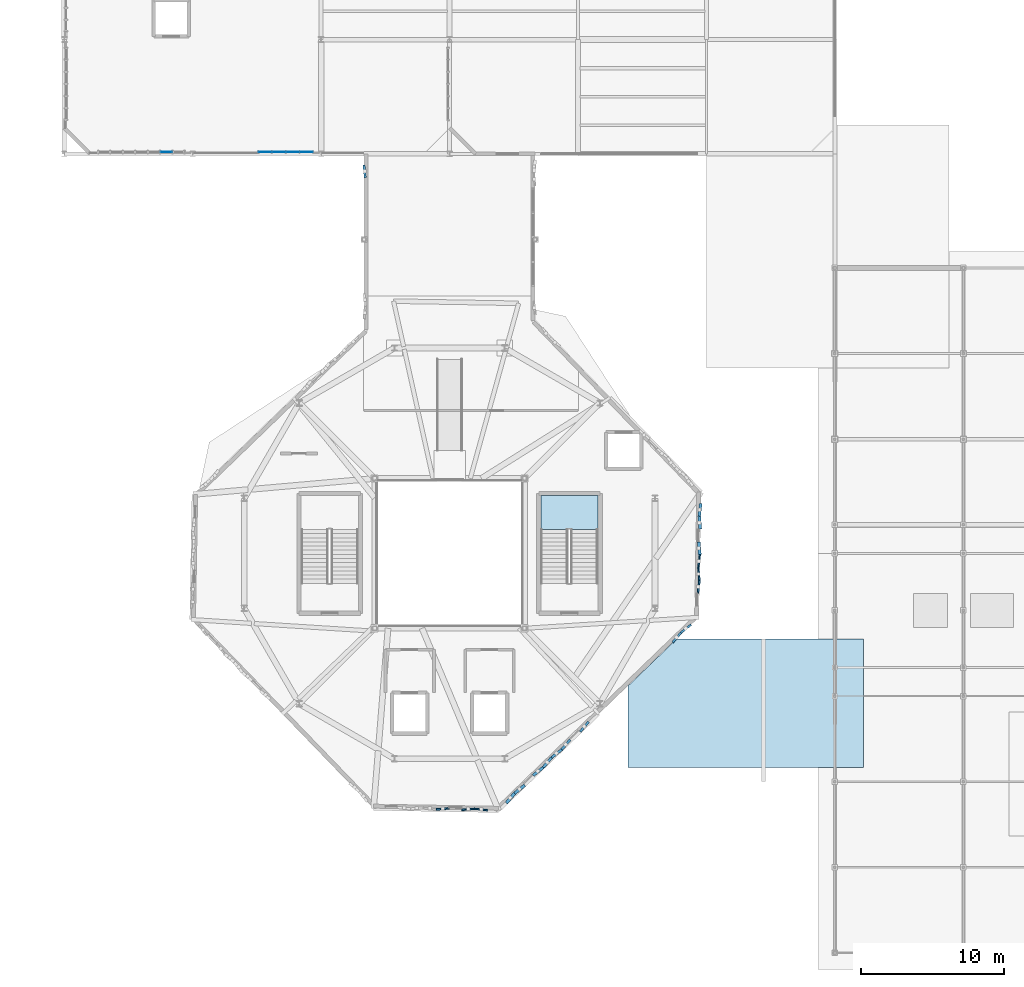
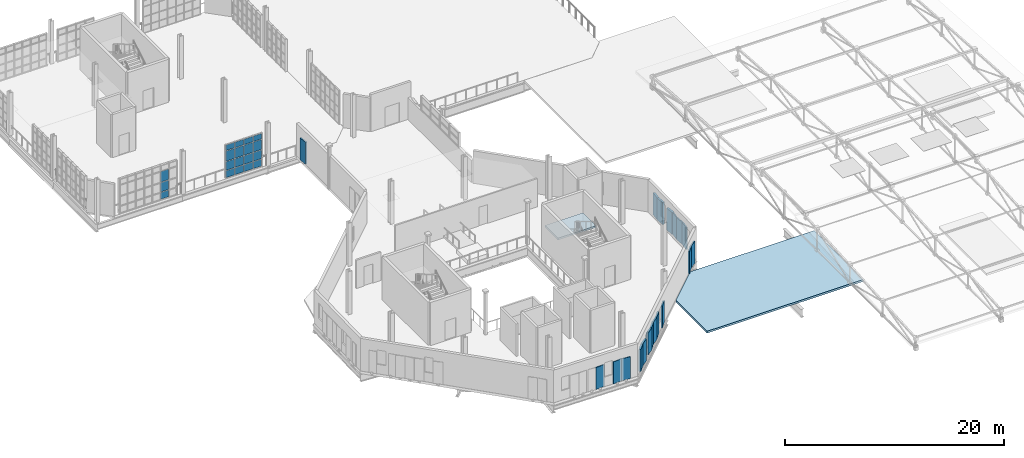
# One storey, part 68 of 85: 38 plates, 2 slabs, 3 elements without a shape of their own.
"""IFC4 building model written with IfcOpenShell, lengths in metres."""

from ifc_helpers import new_model, si_unit, direction, frame, frame_2d, origin, origin_2d, place, context, subcontext, project, spatial, polyline, rectangle, outline, extrude, material, layer, layer_set, type_object, element, aggregate, save


model = new_model("IFC4")

# Units and contexts
model_context = context("Model", 3, precision=1e-05, world=origin(), true_north=direction((0.0, 1.0)))
body_context = subcontext(model_context, "Body", "Model", "MODEL_VIEW")
ifc_project = project(units=[si_unit("LENGTHUNIT", "METRE"), si_unit("AREAUNIT", "SQUARE_METRE"), si_unit("VOLUMEUNIT", "CUBIC_METRE"), si_unit("PLANEANGLEUNIT", "RADIAN"), si_unit("MASSUNIT", "GRAM", prefix="KILO"), si_unit("THERMODYNAMICTEMPERATUREUNIT", "KELVIN"), si_unit("POWERUNIT", "WATT")], contexts=[model_context])

# Site, building, storey
site_placement = place(None, origin())
site = spatial("IfcSite", under=ifc_project, at=site_placement, CompositionType="ELEMENT")
building_placement = place(site_placement, origin())
building = spatial("IfcBuilding", under=site, at=building_placement, Name="Zelmaris Science Centre", CompositionType="ELEMENT")
storey_placement = place(building_placement, frame((0.0, 0.0, 20.39990234375)))
storey = spatial("IfcBuildingStorey", under=building, at=storey_placement, Name="L04", CompositionType="ELEMENT", Elevation=20.39990234375)

# Curtain wall, plates
ifc_material_1 = material(Name="Anodised architectural aluminium 6063-T6", Category="aluminium")
ifc_layer_1 = layer(ifc_material_1, 0.18994140625, Name="Anodised architectural aluminium 6063-T6")
ifc_layer_set_1 = layer_set([ifc_layer_1], Name="Anodised architectural aluminium 6063-T6")
curtain_wall_type_1 = type_object("IfcCurtainWallType", Name="Curtain Wall CW-01", PredefinedType="USERDEFINED", material=ifc_layer_set_1)
curtain_wall_1_placement = place(storey_placement, origin())
curtain_wall_1 = element("IfcCurtainWall", 1, at=curtain_wall_1_placement, inside=storey, type_object=curtain_wall_type_1, Name="L04 Unitised curtain wall 357", ObjectType="GLAZED CURTAIN WALL", PredefinedType="USERDEFINED")
ifc_material_2 = material(Name="Laminated hurricane-rated low-E insulated glazing", Category="glass")
ifc_layer_2 = layer(ifc_material_2, 0.031982421875, Name="Laminated hurricane-rated low-E insulated glazing")
ifc_layer_set_2 = layer_set([ifc_layer_2], Name="Laminated hurricane-rated low-E insulated glazing")
plate_type_1 = type_object("IfcPlateType", Name="Curtain Glazing Panel CWP-1 32mm", PredefinedType="CURTAIN_PANEL", material=ifc_layer_set_2)
plate_1_placement = place(storey_placement, frame((61.148681640625, 64.1201171875, 0.05712890625), z_axis=(0.0, 0.0, 1.0), x_axis=(-0.999999999867, 1.6339877e-05, 0.0)))
plate_1 = element("IfcPlate", 2, at=plate_1_placement, type_object=plate_type_1, Name="CW-01 panel 2.1", PredefinedType="CURTAIN_PANEL", context=body_context, shape_type="SweptSolid", body=[
    extrude(rectangle(XDim=0.80224609375, YDim=0.031982421875, at=origin_2d()), origin(), (0.0, 0.0, 1.0), 0.741943359375),
])
plate_2_placement = place(storey_placement, frame((61.148681640625, 64.1201171875, 0.87109375), z_axis=(0.0, 0.0, 1.0), x_axis=(-0.999999999867, 1.6339877e-05, 0.0)))
plate_2 = element("IfcPlate", 3, at=plate_2_placement, type_object=plate_type_1, Name="CW-01 panel 2.2", PredefinedType="CURTAIN_PANEL", context=body_context, shape_type="SweptSolid", body=[
    extrude(rectangle(XDim=0.80224609375, YDim=0.031982421875, at=origin_2d()), origin(), (0.0, 0.0, 1.0), 1.029541015625),
])
plate_3_placement = place(storey_placement, frame((61.148681640625, 64.1201171875, 1.97265625), z_axis=(0.0, 0.0, 1.0), x_axis=(-0.999999999867, 1.6339877e-05, 0.0)))
plate_3 = element("IfcPlate", 4, at=plate_3_placement, type_object=plate_type_1, Name="CW-01 panel 2.3", PredefinedType="CURTAIN_PANEL", context=body_context, shape_type="SweptSolid", body=[
    extrude(rectangle(XDim=0.80224609375, YDim=0.031982421875, at=origin_2d()), origin(), (0.0, 0.0, 1.0), 1.179443359375),
])
aggregate(curtain_wall_1, [plate_1, plate_2, plate_3])

ifc_layer_3 = layer(ifc_material_1, 0.2099609375, Name="Anodised architectural aluminium 6063-T6")
ifc_layer_set_3 = layer_set([ifc_layer_3], Name="Anodised architectural aluminium 6063-T6")
curtain_wall_type_2 = type_object("IfcCurtainWallType", Name="Curtain Wall CW-03", PredefinedType="USERDEFINED", material=ifc_layer_set_3)
curtain_wall_2_placement = place(storey_placement, origin())
curtain_wall_2 = element("IfcCurtainWall", 5, at=curtain_wall_2_placement, inside=storey, type_object=curtain_wall_type_2, Name="L04 Unitised curtain wall 355", ObjectType="GLAZED CURTAIN WALL", PredefinedType="USERDEFINED")
ifc_layer_4 = layer(ifc_material_2, 0.02587890625, Name="Laminated hurricane-rated low-E insulated glazing")
ifc_layer_set_4 = layer_set([ifc_layer_4], Name="Laminated hurricane-rated low-E insulated glazing")
plate_type_2 = type_object("IfcPlateType", Name="Curtain Glazing Panel CWP-3 26mm", PredefinedType="CURTAIN_PANEL", material=ifc_layer_set_4)
plate_4_placement = place(storey_placement, frame((70.958251953125, 64.1201171875, 0.0419921875), z_axis=(0.0, 0.0, 1.0), x_axis=(-1.0, 0.0, 0.0)))
plate_4 = element("IfcPlate", 6, at=plate_4_placement, type_object=plate_type_2, Name="CW-03 panel 1.1", PredefinedType="CURTAIN_PANEL", context=body_context, shape_type="SweptSolid", body=[
    extrude(rectangle(XDim=0.889404296875, YDim=0.02587890625, at=origin_2d()), origin(), (0.0, 0.0, 1.0), 0.764404296875),
])
plate_5_placement = place(storey_placement, frame((70.958251953125, 64.1201171875, 0.86376953125), z_axis=(0.0, 0.0, 1.0), x_axis=(-1.0, 0.0, 0.0)))
plate_5 = element("IfcPlate", 7, at=plate_5_placement, type_object=plate_type_2, Name="CW-03 panel 1.2", PredefinedType="CURTAIN_PANEL", context=body_context, shape_type="SweptSolid", body=[
    extrude(rectangle(XDim=0.889404296875, YDim=0.02587890625, at=origin_2d()), origin(), (0.0, 0.0, 1.0), 0.969482421875),
])
plate_6_placement = place(storey_placement, frame((70.958251953125, 64.1201171875, 1.89013671875), z_axis=(0.0, 0.0, 1.0), x_axis=(-1.0, 0.0, 0.0)))
plate_6 = element("IfcPlate", 8, at=plate_6_placement, type_object=plate_type_2, Name="CW-03 panel 1.3", PredefinedType="CURTAIN_PANEL", context=body_context, shape_type="SweptSolid", body=[
    extrude(rectangle(XDim=0.889404296875, YDim=0.02587890625, at=origin_2d()), origin(), (0.0, 0.0, 1.0), 1.119384765625),
])
plate_7_placement = place(storey_placement, frame((70.958251953125, 64.1201171875, 3.06640625), z_axis=(0.0, 0.0, 1.0), x_axis=(-1.0, 0.0, 0.0)))
plate_7 = element("IfcPlate", 9, at=plate_7_placement, type_object=plate_type_2, Name="CW-03 panel 1.4", PredefinedType="CURTAIN_PANEL", context=body_context, shape_type="SweptSolid", body=[
    extrude(rectangle(XDim=0.889404296875, YDim=0.02587890625, at=origin_2d()), origin(), (0.0, 0.0, 1.0), 0.614501953125),
])
plate_8_placement = place(storey_placement, frame((69.99755859375, 64.1201171875, 0.0419921875), z_axis=(0.0, 0.0, 1.0), x_axis=(-1.0, 0.0, 0.0)))
plate_8 = element("IfcPlate", 10, at=plate_8_placement, type_object=plate_type_2, Name="CW-03 panel 2.1", PredefinedType="CURTAIN_PANEL", context=body_context, shape_type="SweptSolid", body=[
    extrude(rectangle(XDim=0.91796875, YDim=0.02587890625, at=origin_2d()), origin(), (0.0, 0.0, 1.0), 0.764404296875),
])
plate_9_placement = place(storey_placement, frame((69.99755859375, 64.1201171875, 0.86376953125), z_axis=(0.0, 0.0, 1.0), x_axis=(-1.0, 0.0, 0.0)))
plate_9 = element("IfcPlate", 11, at=plate_9_placement, type_object=plate_type_2, Name="CW-03 panel 2.2", PredefinedType="CURTAIN_PANEL", context=body_context, shape_type="SweptSolid", body=[
    extrude(rectangle(XDim=0.91796875, YDim=0.02587890625, at=origin_2d()), origin(), (0.0, 0.0, 1.0), 0.969482421875),
])
plate_10_placement = place(storey_placement, frame((69.99755859375, 64.1201171875, 1.89013671875), z_axis=(0.0, 0.0, 1.0), x_axis=(-1.0, 0.0, 0.0)))
plate_10 = element("IfcPlate", 12, at=plate_10_placement, type_object=plate_type_2, Name="CW-03 panel 2.3", PredefinedType="CURTAIN_PANEL", context=body_context, shape_type="SweptSolid", body=[
    extrude(rectangle(XDim=0.91796875, YDim=0.02587890625, at=origin_2d()), origin(), (0.0, 0.0, 1.0), 1.119384765625),
])
plate_11_placement = place(storey_placement, frame((69.99755859375, 64.1201171875, 3.06640625), z_axis=(0.0, 0.0, 1.0), x_axis=(-1.0, 0.0, 0.0)))
plate_11 = element("IfcPlate", 13, at=plate_11_placement, type_object=plate_type_2, Name="CW-03 panel 2.4", PredefinedType="CURTAIN_PANEL", context=body_context, shape_type="SweptSolid", body=[
    extrude(rectangle(XDim=0.91796875, YDim=0.02587890625, at=origin_2d()), origin(), (0.0, 0.0, 1.0), 0.614501953125),
])
plate_12_placement = place(storey_placement, frame((69.0224609375, 64.1201171875, 0.0419921875), z_axis=(0.0, 0.0, 1.0), x_axis=(-1.0, 0.0, 0.0)))
plate_12 = element("IfcPlate", 14, at=plate_12_placement, type_object=plate_type_2, Name="CW-03 panel 3.1", PredefinedType="CURTAIN_PANEL", context=body_context, shape_type="SweptSolid", body=[
    extrude(rectangle(XDim=0.91796875, YDim=0.02587890625, at=origin_2d()), origin(), (0.0, 0.0, 1.0), 0.764404296875),
])
plate_13_placement = place(storey_placement, frame((69.0224609375, 64.1201171875, 0.86376953125), z_axis=(0.0, 0.0, 1.0), x_axis=(-1.0, 0.0, 0.0)))
plate_13 = element("IfcPlate", 15, at=plate_13_placement, type_object=plate_type_2, Name="CW-03 panel 3.2", PredefinedType="CURTAIN_PANEL", context=body_context, shape_type="SweptSolid", body=[
    extrude(rectangle(XDim=0.91796875, YDim=0.02587890625, at=origin_2d()), origin(), (0.0, 0.0, 1.0), 0.969482421875),
])
plate_14_placement = place(storey_placement, frame((69.0224609375, 64.1201171875, 1.89013671875), z_axis=(0.0, 0.0, 1.0), x_axis=(-1.0, 0.0, 0.0)))
plate_14 = element("IfcPlate", 16, at=plate_14_placement, type_object=plate_type_2, Name="CW-03 panel 3.3", PredefinedType="CURTAIN_PANEL", context=body_context, shape_type="SweptSolid", body=[
    extrude(rectangle(XDim=0.91796875, YDim=0.02587890625, at=origin_2d()), origin(), (0.0, 0.0, 1.0), 1.119384765625),
])
plate_15_placement = place(storey_placement, frame((69.0224609375, 64.1201171875, 3.06640625), z_axis=(0.0, 0.0, 1.0), x_axis=(-1.0, 0.0, 0.0)))
plate_15 = element("IfcPlate", 17, at=plate_15_placement, type_object=plate_type_2, Name="CW-03 panel 3.4", PredefinedType="CURTAIN_PANEL", context=body_context, shape_type="SweptSolid", body=[
    extrude(rectangle(XDim=0.91796875, YDim=0.02587890625, at=origin_2d()), origin(), (0.0, 0.0, 1.0), 0.614501953125),
])
plate_16_placement = place(storey_placement, frame((68.061767578125, 64.1201171875, 0.0419921875), z_axis=(0.0, 0.0, 1.0), x_axis=(-1.0, 0.0, 0.0)))
plate_16 = element("IfcPlate", 18, at=plate_16_placement, type_object=plate_type_2, Name="CW-03 panel 4.1", PredefinedType="CURTAIN_PANEL", context=body_context, shape_type="SweptSolid", body=[
    extrude(rectangle(XDim=0.889404296875, YDim=0.02587890625, at=origin_2d()), origin(), (0.0, 0.0, 1.0), 0.764404296875),
])
plate_17_placement = place(storey_placement, frame((68.061767578125, 64.1201171875, 0.86376953125), z_axis=(0.0, 0.0, 1.0), x_axis=(-1.0, 0.0, 0.0)))
plate_17 = element("IfcPlate", 19, at=plate_17_placement, type_object=plate_type_2, Name="CW-03 panel 4.2", PredefinedType="CURTAIN_PANEL", context=body_context, shape_type="SweptSolid", body=[
    extrude(rectangle(XDim=0.889404296875, YDim=0.02587890625, at=origin_2d()), origin(), (0.0, 0.0, 1.0), 0.969482421875),
])
plate_18_placement = place(storey_placement, frame((68.061767578125, 64.1201171875, 1.89013671875), z_axis=(0.0, 0.0, 1.0), x_axis=(-1.0, 0.0, 0.0)))
plate_18 = element("IfcPlate", 20, at=plate_18_placement, type_object=plate_type_2, Name="CW-03 panel 4.3", PredefinedType="CURTAIN_PANEL", context=body_context, shape_type="SweptSolid", body=[
    extrude(rectangle(XDim=0.889404296875, YDim=0.02587890625, at=origin_2d()), origin(), (0.0, 0.0, 1.0), 1.119384765625),
])
plate_19_placement = place(storey_placement, frame((68.061767578125, 64.1201171875, 3.06640625), z_axis=(0.0, 0.0, 1.0), x_axis=(-1.0, 0.0, 0.0)))
plate_19 = element("IfcPlate", 21, at=plate_19_placement, type_object=plate_type_2, Name="CW-03 panel 4.4", PredefinedType="CURTAIN_PANEL", context=body_context, shape_type="SweptSolid", body=[
    extrude(rectangle(XDim=0.889404296875, YDim=0.02587890625, at=origin_2d()), origin(), (0.0, 0.0, 1.0), 0.614501953125),
])
aggregate(curtain_wall_2, [plate_4, plate_5, plate_6, plate_7, plate_8, plate_9, plate_10, plate_11, plate_12, plate_13, plate_14, plate_15, plate_16, plate_17, plate_18, plate_19])

# Plates
ifc_material_3 = material(Name="Precast concrete C40/50", Category="concrete")
ifc_layer_5 = layer(ifc_material_3, 0.110107421875, Name="Precast concrete C40/50")
ifc_layer_set_5 = layer_set([ifc_layer_5], Name="Precast concrete C40/50")
plate_type_3 = type_object("IfcPlateType", Name="Precast Facet Panel FP-01 110mm", PredefinedType="SHEET", material=ifc_layer_set_5)
for number, where, z_axis, x_axis, name in (
    (22, (98.53662109375, 35.90234375, 0.02001953125), (0.0, 0.0, 1.0), (-0.118751444807, -0.992924012378, 0.0), "L04 Folded precast facet panel 180"),
    (23, (83.65771484375, 17.9951171875, 0.02001953125), (0.0, 0.0, 1.0), (-0.992955800743, 0.118485348336, 0.0), "L04 Folded precast facet panel 192"),
):
    element("IfcPlate", number, at=place(storey_placement, frame(where, z_axis=z_axis, x_axis=x_axis)), inside=storey, type_object=plate_type_3, Name=name, PredefinedType="SHEET", context=body_context, shape_type="SweptSolid", body=[
        extrude(rectangle(XDim=0.904541015625, YDim=0.110107421875, at=frame_2d((0.4521484375, 0.0))), origin(), (0.0, 0.0, 1.0), 2.4599609375),
    ])
ifc_layer_6 = layer(ifc_material_3, 0.1201171875, Name="Precast concrete C40/50")
ifc_layer_set_6 = layer_set([ifc_layer_6], Name="Precast concrete C40/50")
plate_type_4 = type_object("IfcPlateType", Name="Precast Facet Panel FP-02 120mm", PredefinedType="SHEET", material=ifc_layer_set_6)
plate_20_placement = place(storey_placement, frame((98.42919921875, 35.004150390625, 0.02001953125), z_axis=(0.0, 0.0, 1.0), x_axis=(0.083938908638, -0.996470902544, 0.0)))
element("IfcPlate", 24, at=plate_20_placement, inside=storey, type_object=plate_type_4, Name="L04 Folded precast facet panel 181", PredefinedType="SHEET", context=body_context, shape_type="SweptSolid", body=[
    extrude(rectangle(XDim=0.904541015625, YDim=0.1201171875, at=frame_2d((0.4521484375, 0.0))), origin(), (0.0, 0.0, 1.0), 2.4599609375),
])
plate_21_placement = place(storey_placement, frame((82.759521484375, 18.102294921875, 0.02001953125), z_axis=(0.0, 0.0, 1.0), x_axis=(-0.996472803423, -0.083916339525, 0.0)))
element("IfcPlate", 25, at=plate_21_placement, inside=storey, type_object=plate_type_4, Name="L04 Folded precast facet panel 193", PredefinedType="SHEET", context=body_context, shape_type="SweptSolid", body=[
    extrude(rectangle(XDim=0.90478515625, YDim=0.1201171875, at=frame_2d((0.452392578125, 0.0))), origin(), (0.0, 0.0, 1.0), 2.4599609375),
])
ifc_layer_7 = layer(ifc_material_3, 0.1298828125, Name="Precast concrete C40/50")
ifc_layer_set_7 = layer_set([ifc_layer_7], Name="Precast concrete C40/50")
plate_type_5 = type_object("IfcPlateType", Name="Precast Facet Panel FP-03 130mm", PredefinedType="SHEET", material=ifc_layer_set_7)
for number, where, z_axis, x_axis, name in (
    (26, (98.505126953125, 34.102783203125, 0.02001953125), (0.0, 0.0, 1.0), (-0.118453603056, -0.992959588263, 0.0), "L04 Folded precast facet panel 182"),
    (27, (80.959716796875, 18.1337890625, 0.02001953125), (0.0, 0.0, 1.0), (-0.996472803423, -0.083916339525, 0.0), "L04 Folded precast facet panel 194"),
):
    element("IfcPlate", number, at=place(storey_placement, frame(where, z_axis=z_axis, x_axis=x_axis)), inside=storey, type_object=plate_type_5, Name=name, PredefinedType="SHEET", context=body_context, shape_type="SweptSolid", body=[
        extrude(rectangle(XDim=0.90478515625, YDim=0.1298828125, at=frame_2d((0.452392578125, 0.0))), origin(), (0.0, 0.0, 1.0), 2.4599609375),
    ])
ifc_layer_8 = layer(ifc_material_3, 0.139892578125, Name="Precast concrete C40/50")
ifc_layer_set_8 = layer_set([ifc_layer_8], Name="Precast concrete C40/50")
plate_type_6 = type_object("IfcPlateType", Name="Precast Facet Panel FP-04 140mm", PredefinedType="SHEET", material=ifc_layer_set_8)
plate_22_placement = place(storey_placement, frame((97.923095703125, 31.00390625, 0.02001953125), z_axis=(0.0, 0.0, 1.0), x_axis=(-0.785924835617, -0.618322046154, 0.0)))
element("IfcPlate", 28, at=plate_22_placement, inside=storey, type_object=plate_type_6, Name="L04 Folded precast facet panel 183", PredefinedType="SHEET", context=body_context, shape_type="SweptSolid", body=[
    extrude(rectangle(XDim=0.904541015625, YDim=0.139892578125, at=frame_2d((0.4521484375, 0.0))), origin(), (0.0, 0.0, 1.0), 2.4599609375),
])
ifc_layer_9 = layer(ifc_material_3, 0.14990234375, Name="Precast concrete C40/50")
ifc_layer_set_9 = layer_set([ifc_layer_9], Name="Precast concrete C40/50")
plate_type_7 = type_object("IfcPlateType", Name="Precast Facet Panel FP-05 150mm", PredefinedType="SHEET", material=ifc_layer_set_9)
plate_23_placement = place(storey_placement, frame((97.212158203125, 30.444580078125, 0.02001953125), z_axis=(0.0, 0.0, 1.0), x_axis=(-0.645240327118, -0.763979659586, 0.0)))
element("IfcPlate", 29, at=plate_23_placement, inside=storey, type_object=plate_type_7, Name="L04 Folded precast facet panel 184", PredefinedType="SHEET", context=body_context, shape_type="SweptSolid", body=[
    extrude(rectangle(XDim=0.90478515625, YDim=0.14990234375, at=frame_2d((0.452392578125, 0.0))), origin(), (0.0, 0.0, 1.0), 2.4599609375),
])
ifc_layer_10 = layer(ifc_material_3, 0.159912109375, Name="Precast concrete C40/50")
ifc_layer_set_10 = layer_set([ifc_layer_10], Name="Precast concrete C40/50")
plate_type_8 = type_object("IfcPlateType", Name="Precast Facet Panel FP-06 160mm", PredefinedType="SHEET", material=ifc_layer_set_10)
plate_24_placement = place(storey_placement, frame((90.738037109375, 24.192626953125, 0.02001953125), z_axis=(0.0, 0.0, 1.0), x_axis=(-0.645240327118, -0.763979659586, 0.0)))
element("IfcPlate", 30, at=plate_24_placement, inside=storey, type_object=plate_type_8, Name="L04 Folded precast facet panel 185", PredefinedType="SHEET", context=body_context, shape_type="SweptSolid", body=[
    extrude(rectangle(XDim=0.90478515625, YDim=0.159912109375, at=frame_2d((0.452392578125, 0.0))), origin(), (0.0, 0.0, 1.0), 2.4599609375),
])
plate_25_placement = place(storey_placement, frame((75.090576171875, 62.323974609375, 0.02001953125), z_axis=(0.0, 0.0, 1.0), x_axis=(-0.101748085751, 0.994810196493, 0.0)))
element("IfcPlate", 31, at=plate_25_placement, inside=storey, type_object=plate_type_8, Name="L04 Folded precast facet panel 221", PredefinedType="SHEET", context=body_context, shape_type="SweptSolid", body=[
    extrude(rectangle(XDim=0.904541015625, YDim=0.159912109375, at=frame_2d((0.4521484375, 0.0))), origin(), (0.0, 0.0, 1.0), 2.4599609375),
])
ifc_layer_11 = layer(ifc_material_3, 0.169921875, Name="Precast concrete C40/50")
ifc_layer_set_11 = layer_set([ifc_layer_11], Name="Precast concrete C40/50")
plate_type_9 = type_object("IfcPlateType", Name="Precast Facet Panel FP-07 170mm", PredefinedType="SHEET", material=ifc_layer_set_11)
plate_26_placement = place(storey_placement, frame((89.443115234375, 22.942138671875, 0.02001953125), z_axis=(0.0, 0.0, 1.0), x_axis=(-0.645215837083, -0.764000342655, 0.0)))
element("IfcPlate", 32, at=plate_26_placement, inside=storey, type_object=plate_type_9, Name="L04 Folded precast facet panel 186", PredefinedType="SHEET", context=body_context, shape_type="SweptSolid", body=[
    extrude(rectangle(XDim=0.904296875, YDim=0.169921875, at=frame_2d((0.4521484375, 0.0))), origin(), (0.0, 0.0, 1.0), 2.4599609375),
])
ifc_layer_12 = layer(ifc_material_3, 0.179931640625, Name="Precast concrete C40/50")
ifc_layer_set_12 = layer_set([ifc_layer_12], Name="Precast concrete C40/50")
plate_type_10 = type_object("IfcPlateType", Name="Precast Facet Panel FP-08 180mm", PredefinedType="SHEET", material=ifc_layer_set_12)
plate_27_placement = place(storey_placement, frame((88.859619140625, 22.251220703125, 0.02001953125), z_axis=(0.0, 0.0, 1.0), x_axis=(-0.786027988397, -0.618190910202, 0.0)))
element("IfcPlate", 33, at=plate_27_placement, inside=storey, type_object=plate_type_10, Name="L04 Folded precast facet panel 187", PredefinedType="SHEET", context=body_context, shape_type="SweptSolid", body=[
    extrude(rectangle(XDim=0.90478515625, YDim=0.179931640625, at=frame_2d((0.452392578125, 0.0))), origin(), (0.0, 0.0, 1.0), 2.4599609375),
])
ifc_layer_13 = layer(ifc_material_3, 0.18994140625, Name="Precast concrete C40/50")
ifc_layer_set_13 = layer_set([ifc_layer_13], Name="Precast concrete C40/50")
plate_type_11 = type_object("IfcPlateType", Name="Precast Facet Panel FP-09 190mm", PredefinedType="SHEET", material=ifc_layer_set_13)
plate_28_placement = place(storey_placement, frame((88.1484375, 21.69189453125, 0.02001953125), z_axis=(0.0, 0.0, 1.0), x_axis=(-0.645240327118, -0.763979659586, 0.0)))
element("IfcPlate", 34, at=plate_28_placement, inside=storey, type_object=plate_type_11, Name="L04 Folded precast facet panel 188", PredefinedType="SHEET", context=body_context, shape_type="SweptSolid", body=[
    extrude(rectangle(XDim=0.90478515625, YDim=0.18994140625, at=frame_2d((0.452392578125, 0.0))), origin(), (0.0, 0.0, 1.0), 2.4599609375),
])
ifc_layer_14 = layer(ifc_material_3, 0.199951171875, Name="Precast concrete C40/50")
ifc_layer_set_14 = layer_set([ifc_layer_14], Name="Precast concrete C40/50")
plate_type_12 = type_object("IfcPlateType", Name="Precast Facet Panel FP-10 200mm", PredefinedType="SHEET", material=ifc_layer_set_14)
plate_29_placement = place(storey_placement, frame((98.599609375, 39.501708984375, 0.02001953125), z_axis=(0.0, 0.0, 1.0), x_axis=(-0.118751444807, -0.992924012378, 0.0)))
element("IfcPlate", 35, at=plate_29_placement, inside=storey, type_object=plate_type_12, Name="L04 Folded precast facet panel 177", PredefinedType="SHEET", context=body_context, shape_type="SweptSolid", body=[
    extrude(rectangle(XDim=0.904541015625, YDim=0.199951171875, at=frame_2d((0.4521484375, 0.0))), origin(), (0.0, 0.0, 1.0), 2.4599609375),
])
plate_30_placement = place(storey_placement, frame((87.564697265625, 21.000732421875, 0.02001953125), z_axis=(0.0, 0.0, 1.0), x_axis=(-0.786027988397, -0.618190910202, 0.0)))
element("IfcPlate", 36, at=plate_30_placement, inside=storey, type_object=plate_type_12, Name="L04 Folded precast facet panel 189", PredefinedType="SHEET", context=body_context, shape_type="SweptSolid", body=[
    extrude(rectangle(XDim=0.90478515625, YDim=0.199951171875, at=frame_2d((0.452392578125, 0.0))), origin(), (0.0, 0.0, 1.0), 2.4599609375),
])
ifc_layer_15 = layer(ifc_material_3, 0.2099609375, Name="Precast concrete C40/50")
ifc_layer_set_15 = layer_set([ifc_layer_15], Name="Precast concrete C40/50")
plate_type_13 = type_object("IfcPlateType", Name="Precast Facet Panel FP-11 210mm", PredefinedType="SHEET", material=ifc_layer_set_15)
plate_31_placement = place(storey_placement, frame((98.4921875, 38.603515625, 0.02001953125), z_axis=(0.0, 0.0, 1.0), x_axis=(0.083938908638, -0.996470902544, 0.0)))
element("IfcPlate", 37, at=plate_31_placement, inside=storey, type_object=plate_type_13, Name="L04 Folded precast facet panel 178", PredefinedType="SHEET", context=body_context, shape_type="SweptSolid", body=[
    extrude(rectangle(XDim=0.904541015625, YDim=0.2099609375, at=frame_2d((0.4521484375, 0.0))), origin(), (0.0, 0.0, 1.0), 2.4599609375),
])
plate_32_placement = place(storey_placement, frame((86.27001953125, 19.75048828125, 0.02001953125), z_axis=(0.0, 0.0, 1.0), x_axis=(-0.786027988397, -0.618190910202, 0.0)))
element("IfcPlate", 38, at=plate_32_placement, inside=storey, type_object=plate_type_13, Name="L04 Folded precast facet panel 190", PredefinedType="SHEET", context=body_context, shape_type="SweptSolid", body=[
    extrude(rectangle(XDim=0.90478515625, YDim=0.2099609375, at=frame_2d((0.452392578125, 0.0))), origin(), (0.0, 0.0, 1.0), 2.4599609375),
])
ifc_layer_16 = layer(ifc_material_3, 0.219970703125, Name="Precast concrete C40/50")
ifc_layer_set_16 = layer_set([ifc_layer_16], Name="Precast concrete C40/50")
plate_type_14 = type_object("IfcPlateType", Name="Precast Facet Panel FP-12 220mm", PredefinedType="SHEET", material=ifc_layer_set_16)
plate_33_placement = place(storey_placement, frame((98.460693359375, 36.8037109375, 0.02001953125), z_axis=(0.0, 0.0, 1.0), x_axis=(0.083938908638, -0.996470902544, 0.0)))
element("IfcPlate", 39, at=plate_33_placement, inside=storey, type_object=plate_type_14, Name="L04 Folded precast facet panel 179", PredefinedType="SHEET", context=body_context, shape_type="SweptSolid", body=[
    extrude(rectangle(XDim=0.904541015625, YDim=0.219970703125, at=frame_2d((0.4521484375, 0.0))), origin(), (0.0, 0.0, 1.0), 2.4599609375),
])
plate_34_placement = place(storey_placement, frame((85.558837890625, 19.191162109375, 0.02001953125), z_axis=(0.0, 0.0, 1.0), x_axis=(-0.645240327118, -0.763979659586, 0.0)))
element("IfcPlate", 40, at=plate_34_placement, inside=storey, type_object=plate_type_14, Name="L04 Folded precast facet panel 191", PredefinedType="SHEET", context=body_context, shape_type="SweptSolid", body=[
    extrude(rectangle(XDim=0.90478515625, YDim=0.219970703125, at=frame_2d((0.452392578125, 0.0))), origin(), (0.0, 0.0, 1.0), 2.4599609375),
])

# Stair, slab
ifc_material_4 = material(Name="Concrete C40/50", Category="concrete")
stair_type = type_object("IfcStairType", Name="Exit Stair ST-B W1900", PredefinedType="HALF_TURN_STAIR", material=ifc_material_4)
stair_placement = place(storey_placement, origin())
stair = element("IfcStair", 41, at=stair_placement, inside=storey, type_object=stair_type, Name="L04 Exit Stair Core ST-2", PredefinedType="HALF_TURN_STAIR")
ifc_material_5 = material(Name="Concrete C35/45", Category="concrete")
ifc_layer_17 = layer(ifc_material_5, 0.18994140625, Name="Concrete C35/45")
ifc_layer_set_17 = layer_set([ifc_layer_17], Name="Concrete C35/45")
slab_type_1 = type_object("IfcSlabType", Name="Slab SL-LD190 190mm", PredefinedType="LANDING", material=ifc_layer_set_17)
slab_1_placement = place(storey_placement, frame((0.0, 0.0, 2.210205078125)))
slab_1 = element("IfcSlab", 42, at=slab_1_placement, type_object=slab_type_1, Name="ST-2 landing 1", PredefinedType="LANDING", context=body_context, shape_type="SweptSolid", body=[
    extrude(outline(polyline([(91.39990234375, 37.669921875), (91.39990234375, 40.050048828125), (87.39990234375, 40.050048828125), (87.39990234375, 37.669921875), (91.39990234375, 37.669921875)])), origin(), (0.0, 0.0, 1.0), 0.18994140625),
])
aggregate(stair, [slab_1])

# Slab
ifc_layer_18 = layer(ifc_material_5, 0.219970703125, Name="Concrete C35/45")
ifc_layer_set_18 = layer_set([ifc_layer_18], Name="Concrete C35/45")
slab_type_2 = type_object("IfcSlabType", Name="Slab SL-RF220 220mm", PredefinedType="ROOF", material=ifc_layer_set_18)
slab_2_placement = place(storey_placement, frame((0.0, 0.0, -0.219970703125)))
element("IfcSlab", 43, at=slab_2_placement, inside=storey, type_object=slab_type_2, Name="L04 East peristyle link roof slab", PredefinedType="ROOF", context=body_context, shape_type="SweptSolid", body=[
    extrude(outline(polyline([(110.0, 30.0), (110.0, 21.0), (93.5, 21.0), (93.5, 26.706787109375), (96.91015625, 30.0), (110.0, 30.0)])), origin(), (0.0, 0.0, 1.0), 0.219970703125),
])

save(model, "model.ifc")
